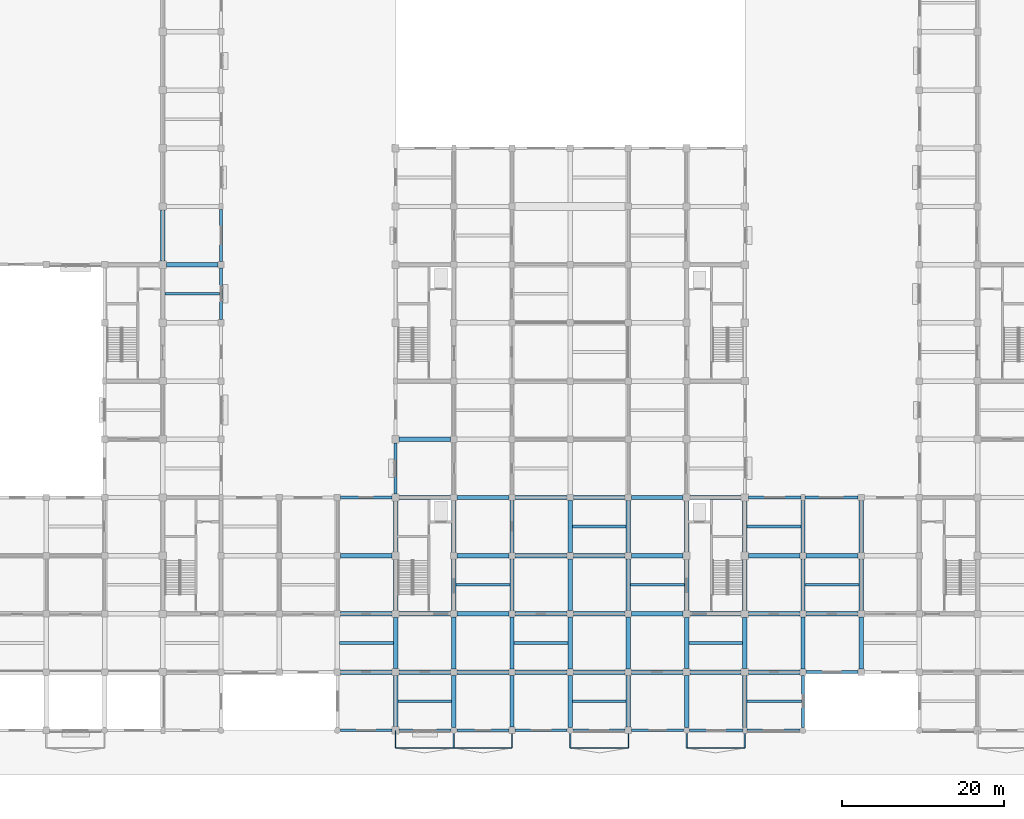
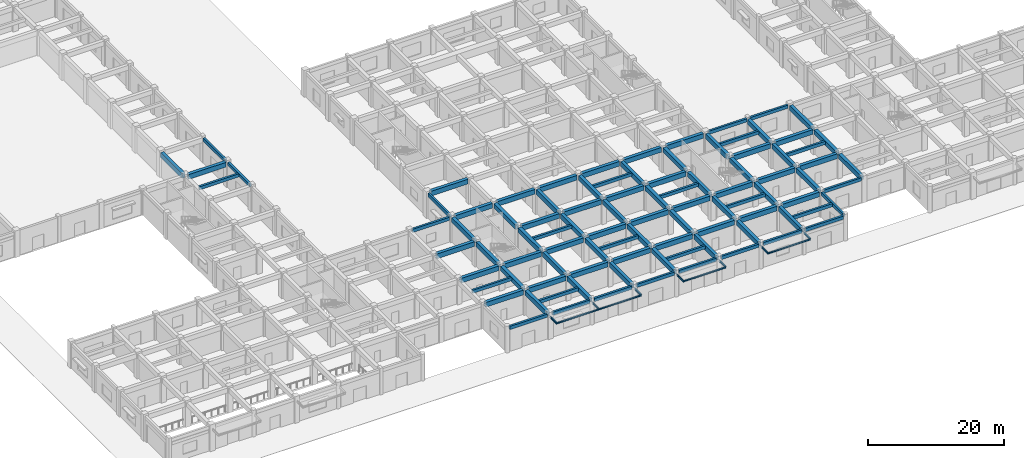
# One storey, part 3 of 37: 106 beams.
"""IFC4 building model written with IfcOpenShell, lengths in metres."""

from ifc_helpers import new_model, si_unit, direction, frame, origin, origin_2d, place, context, subcontext, project, spatial, rectangle, i_section, extrude, material, material_profile, profile_set, type_object, element, save


model = new_model("IFC4")

# Units and contexts
model_context = context("Model", 3, precision=1e-05, world=origin(), true_north=direction((0.0, 1.0)))
body_context = subcontext(model_context, "Body", "Model", "MODEL_VIEW")
ifc_project = project(units=[si_unit("LENGTHUNIT", "METRE"), si_unit("AREAUNIT", "SQUARE_METRE"), si_unit("VOLUMEUNIT", "CUBIC_METRE"), si_unit("PLANEANGLEUNIT", "RADIAN"), si_unit("MASSUNIT", "GRAM", prefix="KILO")], contexts=[model_context])

# Site, building, storey
site_placement = place(None, origin())
site = spatial("IfcSite", under=ifc_project, at=site_placement, CompositionType="ELEMENT")
building_placement = place(site_placement, origin())
building = spatial("IfcBuilding", under=site, at=building_placement, Name="Cendaluz Park School", CompositionType="ELEMENT")
storey_placement = place(building_placement, origin())
storey = spatial("IfcBuildingStorey", under=building, at=storey_placement, Name="L00", CompositionType="ELEMENT", Elevation=0.0)

# Beams
ifc_material_1 = material(Name="Concrete C40/50", Category="concrete")
ifc_material_profile_1 = material_profile(ifc_material_1, rectangle(XDim=0.550048828125, YDim=0.85009765625, at=origin_2d()), Name="RC 550x850", Category="concrete")
ifc_profile_set_1 = profile_set([ifc_material_profile_1], Name="Concrete C40/50")
beam_type_1 = type_object("IfcBeamType", Name="BM-RC01", PredefinedType="BEAM", material=ifc_profile_set_1)
for number, where, z_axis, x_axis, name in (
    (1, (36.449951171875, 57.60009765625, 4.044921875), (1.0, 0.0, 0.0), (0.0, 1.0, 0.0), "BM-L00-BMRC01-0057"),
    (2, (58.0, 7.199951171875, 4.044921875), (1.0, 0.0, 0.0), (0.0, 1.0, 0.0), "BM-L00-BMRC01-0075"),
    (3, (58.0, 14.39990234375, 4.044921875), (1.0, 0.0, 0.0), (0.0, 1.0, 0.0), "BM-L00-BMRC01-0076"),
    (4, (58.0, 21.60009765625, 4.044921875), (1.0, 0.0, 0.0), (0.0, 1.0, 0.0), "BM-L00-BMRC01-0077"),
    (5, (65.25, 7.199951171875, 4.044921875), (1.0, 0.0, 0.0), (0.0, 1.0, 0.0), "BM-L00-BMRC01-0080"),
    (6, (65.25, 14.39990234375, 4.044921875), (1.0, 0.0, 0.0), (0.0, 1.0, 0.0), "BM-L00-BMRC01-0081"),
    (7, (65.25, 28.800048828125, 4.044921875), (1.0, 0.0, 0.0), (0.0, 1.0, 0.0), "BM-L00-BMRC01-0082"),
    (8, (65.25, 36.0, 4.044921875), (1.0, 0.0, 0.0), (0.0, 1.0, 0.0), "BM-L00-BMRC01-0083"),
):
    element("IfcBeam", number, at=place(storey_placement, frame(where, z_axis=z_axis, x_axis=x_axis)), inside=storey, type_object=beam_type_1, Name=name, PredefinedType="BEAM", context=body_context, shape_type="SweptSolid", body=[
        extrude(rectangle(XDim=0.550048828125, YDim=0.85009765625, at=origin_2d()), origin(), (0.0, 0.0, 1.0), 6.35009765625),
    ])
for number, where, z_axis, x_axis, name in (
    (9, (72.39990234375, 7.199951171875, 4.044921875), (1.0, 0.0, 0.0), (0.0, 1.0, 0.0), "BM-L00-BMRC01-0089"),
    (10, (72.39990234375, 14.39990234375, 4.044921875), (1.0, 0.0, 0.0), (0.0, 1.0, 0.0), "BM-L00-BMRC01-0090"),
    (11, (72.39990234375, 21.60009765625, 4.044921875), (1.0, 0.0, 0.0), (0.0, 1.0, 0.0), "BM-L00-BMRC01-0091"),
    (12, (72.39990234375, 28.800048828125, 4.044921875), (1.0, 0.0, 0.0), (0.0, 1.0, 0.0), "BM-L00-BMRC01-0092"),
):
    element("IfcBeam", number, at=place(storey_placement, frame(where, z_axis=z_axis, x_axis=x_axis)), inside=storey, type_object=beam_type_1, Name=name, PredefinedType="BEAM", context=body_context, shape_type="SweptSolid", body=[
        extrude(rectangle(XDim=0.550048828125, YDim=0.85009765625, at=origin_2d()), origin(), (0.0, 0.0, 1.0), 6.400146484375),
    ])
for number, where, z_axis, x_axis, name in (
    (13, (79.60009765625, 7.199951171875, 4.044921875), (1.0, 0.0, 0.0), (0.0, 1.0, 0.0), "BM-L00-BMRC01-0100"),
    (14, (79.60009765625, 14.39990234375, 4.044921875), (1.0, 0.0, 0.0), (0.0, 1.0, 0.0), "BM-L00-BMRC01-0101"),
    (15, (79.60009765625, 21.60009765625, 4.044921875), (1.0, 0.0, 0.0), (0.0, 1.0, 0.0), "BM-L00-BMRC01-0102"),
    (16, (79.60009765625, 28.800048828125, 4.044921875), (1.0, 0.0, 0.0), (0.0, 1.0, 0.0), "BM-L00-BMRC01-0103"),
    (17, (86.800048828125, 7.199951171875, 4.044921875), (1.0, 0.0, 0.0), (0.0, 1.0, 0.0), "BM-L00-BMRC01-0110"),
    (18, (86.800048828125, 14.39990234375, 4.044921875), (1.0, 0.0, 0.0), (0.0, 1.0, 0.0), "BM-L00-BMRC01-0111"),
    (19, (86.800048828125, 21.60009765625, 4.044921875), (1.0, 0.0, 0.0), (0.0, 1.0, 0.0), "BM-L00-BMRC01-0112"),
    (20, (86.800048828125, 28.800048828125, 4.044921875), (1.0, 0.0, 0.0), (0.0, 1.0, 0.0), "BM-L00-BMRC01-0113"),
):
    element("IfcBeam", number, at=place(storey_placement, frame(where, z_axis=z_axis, x_axis=x_axis)), inside=storey, type_object=beam_type_1, Name=name, PredefinedType="BEAM", context=body_context, shape_type="SweptSolid", body=[
        extrude(rectangle(XDim=0.550048828125, YDim=0.85009765625, at=origin_2d()), origin(), (0.0, 0.0, 1.0), 6.39990234375),
    ])
for number, where, z_axis, x_axis, name in (
    (21, (94.0, 7.199951171875, 4.044921875), (1.0, 0.0, 0.0), (0.0, 1.0, 0.0), "BM-L00-BMRC01-0120"),
    (22, (94.0, 14.39990234375, 4.044921875), (1.0, 0.0, 0.0), (0.0, 1.0, 0.0), "BM-L00-BMRC01-0121"),
    (23, (94.0, 21.60009765625, 4.044921875), (1.0, 0.0, 0.0), (0.0, 1.0, 0.0), "BM-L00-BMRC01-0122"),
    (24, (94.0, 28.800048828125, 4.044921875), (1.0, 0.0, 0.0), (0.0, 1.0, 0.0), "BM-L00-BMRC01-0123"),
):
    element("IfcBeam", number, at=place(storey_placement, frame(where, z_axis=z_axis, x_axis=x_axis)), inside=storey, type_object=beam_type_1, Name=name, PredefinedType="BEAM", context=body_context, shape_type="SweptSolid", body=[
        extrude(rectangle(XDim=0.550048828125, YDim=0.85009765625, at=origin_2d()), origin(), (0.0, 0.0, 1.0), 6.35009765625),
    ])
for number, where, z_axis, x_axis, name in (
    (25, (101.25, 7.199951171875, 4.044921875), (1.0, 0.0, 0.0), (0.0, 1.0, 0.0), "BM-L00-BMRC01-0131"),
    (26, (101.25, 14.39990234375, 4.044921875), (1.0, 0.0, 0.0), (0.0, 1.0, 0.0), "BM-L00-BMRC01-0132"),
    (27, (101.25, 28.800048828125, 4.044921875), (1.0, 0.0, 0.0), (0.0, 1.0, 0.0), "BM-L00-BMRC01-0133"),
):
    element("IfcBeam", number, at=place(storey_placement, frame(where, z_axis=z_axis, x_axis=x_axis)), inside=storey, type_object=beam_type_1, Name=name, PredefinedType="BEAM", context=body_context, shape_type="SweptSolid", body=[
        extrude(rectangle(XDim=0.550048828125, YDim=0.85009765625, at=origin_2d()), origin(), (0.0, 0.0, 1.0), 6.300048828125),
    ])
for number, where, z_axis, x_axis, name in (
    (28, (108.449951171875, 7.199951171875, 4.044921875), (1.0, 0.0, 0.0), (0.0, 1.0, 0.0), "BM-L00-BMRC01-0140"),
    (29, (108.449951171875, 14.39990234375, 4.044921875), (1.0, 0.0, 0.0), (0.0, 1.0, 0.0), "BM-L00-BMRC01-0141"),
    (30, (108.449951171875, 21.60009765625, 4.044921875), (1.0, 0.0, 0.0), (0.0, 1.0, 0.0), "BM-L00-BMRC01-0142"),
):
    element("IfcBeam", number, at=place(storey_placement, frame(where, z_axis=z_axis, x_axis=x_axis)), inside=storey, type_object=beam_type_1, Name=name, PredefinedType="BEAM", context=body_context, shape_type="SweptSolid", body=[
        extrude(rectangle(XDim=0.550048828125, YDim=0.85009765625, at=origin_2d()), origin(), (0.0, 0.0, 1.0), 6.35009765625),
    ])
for number, where, z_axis, x_axis, name in (
    (31, (115.60009765625, 14.39990234375, 4.044921875), (1.0, 0.0, 0.0), (0.0, 1.0, 0.0), "BM-L00-BMRC01-0145"),
    (32, (115.60009765625, 21.60009765625, 4.044921875), (1.0, 0.0, 0.0), (0.0, 1.0, 0.0), "BM-L00-BMRC01-0146"),
):
    element("IfcBeam", number, at=place(storey_placement, frame(where, z_axis=z_axis, x_axis=x_axis)), inside=storey, type_object=beam_type_1, Name=name, PredefinedType="BEAM", context=body_context, shape_type="SweptSolid", body=[
        extrude(rectangle(XDim=0.550048828125, YDim=0.85009765625, at=origin_2d()), origin(), (0.0, 0.0, 1.0), 6.39990234375),
    ])
for number, where, z_axis, x_axis, name in (
    (33, (36.0, 58.050048828125, 4.044921875), (0.0, 1.0, 0.0), (-1.0, 0.0, 0.0), "BM-L00-BMRC01-0271"),
    (34, (64.800048828125, 0.449951171875, 4.044921875), (0.0, 1.0, 0.0), (-1.0, 0.0, 0.0), "BM-L00-BMRC01-0302"),
    (35, (64.800048828125, 7.64990234375, 4.044921875), (0.0, 1.0, 0.0), (-1.0, 0.0, 0.0), "BM-L00-BMRC01-0303"),
):
    element("IfcBeam", number, at=place(storey_placement, frame(where, z_axis=z_axis, x_axis=x_axis)), inside=storey, type_object=beam_type_1, Name=name, PredefinedType="BEAM", context=body_context, shape_type="SweptSolid", body=[
        extrude(rectangle(XDim=0.550048828125, YDim=0.85009765625, at=origin_2d()), origin(), (0.0, 0.0, 1.0), 6.300048828125),
    ])
beam_1_placement = place(storey_placement, frame((64.800048828125, 14.85009765625, 4.044921875), z_axis=(0.0, 1.0, 0.0), x_axis=(-1.0, 0.0, 0.0)))
element("IfcBeam", 36, at=beam_1_placement, inside=storey, type_object=beam_type_1, Name="BM-L00-BMRC01-0304", PredefinedType="BEAM", context=body_context, shape_type="SweptSolid", body=[
    extrude(rectangle(XDim=0.550048828125, YDim=0.85009765625, at=origin_2d()), origin(), (0.0, 0.0, 1.0), 6.2998046875),
])
beam_2_placement = place(storey_placement, frame((64.800048828125, 22.050048828125, 4.044921875), z_axis=(0.0, 1.0, 0.0), x_axis=(-1.0, 0.0, 0.0)))
element("IfcBeam", 37, at=beam_2_placement, inside=storey, type_object=beam_type_1, Name="BM-L00-BMRC01-0305", PredefinedType="BEAM", context=body_context, shape_type="SweptSolid", body=[
    extrude(rectangle(XDim=0.550048828125, YDim=0.85009765625, at=origin_2d()), origin(), (0.0, 0.0, 1.0), 6.300048828125),
])
beam_3_placement = place(storey_placement, frame((72.0, 0.375, 4.044921875), z_axis=(0.0, 1.0, 0.0), x_axis=(-1.0, 0.0, 0.0)))
element("IfcBeam", 38, at=beam_3_placement, inside=storey, type_object=beam_type_1, Name="BM-L00-BMRC01-0312", PredefinedType="BEAM", context=body_context, shape_type="SweptSolid", body=[
    extrude(rectangle(XDim=0.550048828125, YDim=0.85009765625, at=origin_2d()), origin(), (0.0, 0.0, 1.0), 6.425048828125),
])
for number, where, z_axis, x_axis, name in (
    (39, (72.0, 7.60009765625, 4.044921875), (0.0, 1.0, 0.0), (-1.0, 0.0, 0.0), "BM-L00-BMRC01-0313"),
    (40, (72.0, 14.800048828125, 4.044921875), (0.0, 1.0, 0.0), (-1.0, 0.0, 0.0), "BM-L00-BMRC01-0314"),
    (41, (72.0, 22.0, 4.044921875), (0.0, 1.0, 0.0), (-1.0, 0.0, 0.0), "BM-L00-BMRC01-0315"),
):
    element("IfcBeam", number, at=place(storey_placement, frame(where, z_axis=z_axis, x_axis=x_axis)), inside=storey, type_object=beam_type_1, Name=name, PredefinedType="BEAM", context=body_context, shape_type="SweptSolid", body=[
        extrude(rectangle(XDim=0.550048828125, YDim=0.85009765625, at=origin_2d()), origin(), (0.0, 0.0, 1.0), 6.39990234375),
    ])
beam_4_placement = place(storey_placement, frame((79.199951171875, 0.39990234375, 4.044921875), z_axis=(0.0, 1.0, 0.0), x_axis=(-1.0, 0.0, 0.0)))
element("IfcBeam", 42, at=beam_4_placement, inside=storey, type_object=beam_type_1, Name="BM-L00-BMRC01-0322", PredefinedType="BEAM", context=body_context, shape_type="SweptSolid", body=[
    extrude(rectangle(XDim=0.550048828125, YDim=0.85009765625, at=origin_2d()), origin(), (0.0, 0.0, 1.0), 6.400146484375),
])
for number, where, z_axis, x_axis, name in (
    (43, (79.199951171875, 7.60009765625, 4.044921875), (0.0, 1.0, 0.0), (-1.0, 0.0, 0.0), "BM-L00-BMRC01-0323"),
    (44, (79.199951171875, 14.800048828125, 4.044921875), (0.0, 1.0, 0.0), (-1.0, 0.0, 0.0), "BM-L00-BMRC01-0324"),
    (45, (79.199951171875, 22.0, 4.044921875), (0.0, 1.0, 0.0), (-1.0, 0.0, 0.0), "BM-L00-BMRC01-0325"),
):
    element("IfcBeam", number, at=place(storey_placement, frame(where, z_axis=z_axis, x_axis=x_axis)), inside=storey, type_object=beam_type_1, Name=name, PredefinedType="BEAM", context=body_context, shape_type="SweptSolid", body=[
        extrude(rectangle(XDim=0.550048828125, YDim=0.85009765625, at=origin_2d()), origin(), (0.0, 0.0, 1.0), 6.39990234375),
    ])
beam_5_placement = place(storey_placement, frame((86.39990234375, 0.375, 4.044921875), z_axis=(0.0, 1.0, 0.0), x_axis=(-1.0, 0.0, 0.0)))
element("IfcBeam", 46, at=beam_5_placement, inside=storey, type_object=beam_type_1, Name="BM-L00-BMRC01-0332", PredefinedType="BEAM", context=body_context, shape_type="SweptSolid", body=[
    extrude(rectangle(XDim=0.550048828125, YDim=0.85009765625, at=origin_2d()), origin(), (0.0, 0.0, 1.0), 6.425048828125),
])
for number, where, z_axis, x_axis, name in (
    (47, (86.39990234375, 7.60009765625, 4.044921875), (0.0, 1.0, 0.0), (-1.0, 0.0, 0.0), "BM-L00-BMRC01-0333"),
    (48, (86.39990234375, 14.800048828125, 4.044921875), (0.0, 1.0, 0.0), (-1.0, 0.0, 0.0), "BM-L00-BMRC01-0334"),
    (49, (86.39990234375, 22.0, 4.044921875), (0.0, 1.0, 0.0), (-1.0, 0.0, 0.0), "BM-L00-BMRC01-0335"),
):
    element("IfcBeam", number, at=place(storey_placement, frame(where, z_axis=z_axis, x_axis=x_axis)), inside=storey, type_object=beam_type_1, Name=name, PredefinedType="BEAM", context=body_context, shape_type="SweptSolid", body=[
        extrude(rectangle(XDim=0.550048828125, YDim=0.85009765625, at=origin_2d()), origin(), (0.0, 0.0, 1.0), 6.39990234375),
    ])
beam_6_placement = place(storey_placement, frame((93.60009765625, 0.39990234375, 4.044921875), z_axis=(0.0, 1.0, 0.0), x_axis=(-1.0, 0.0, 0.0)))
element("IfcBeam", 50, at=beam_6_placement, inside=storey, type_object=beam_type_1, Name="BM-L00-BMRC01-0340", PredefinedType="BEAM", context=body_context, shape_type="SweptSolid", body=[
    extrude(rectangle(XDim=0.550048828125, YDim=0.85009765625, at=origin_2d()), origin(), (0.0, 0.0, 1.0), 6.400146484375),
])
for number, where, z_axis, x_axis, name in (
    (51, (93.60009765625, 7.60009765625, 4.044921875), (0.0, 1.0, 0.0), (-1.0, 0.0, 0.0), "BM-L00-BMRC01-0341"),
    (52, (93.60009765625, 14.800048828125, 4.044921875), (0.0, 1.0, 0.0), (-1.0, 0.0, 0.0), "BM-L00-BMRC01-0342"),
    (53, (93.60009765625, 22.0, 4.044921875), (0.0, 1.0, 0.0), (-1.0, 0.0, 0.0), "BM-L00-BMRC01-0343"),
):
    element("IfcBeam", number, at=place(storey_placement, frame(where, z_axis=z_axis, x_axis=x_axis)), inside=storey, type_object=beam_type_1, Name=name, PredefinedType="BEAM", context=body_context, shape_type="SweptSolid", body=[
        extrude(rectangle(XDim=0.550048828125, YDim=0.85009765625, at=origin_2d()), origin(), (0.0, 0.0, 1.0), 6.39990234375),
    ])
beam_7_placement = place(storey_placement, frame((100.800048828125, 0.375, 4.044921875), z_axis=(0.0, 1.0, 0.0), x_axis=(-1.0, 0.0, 0.0)))
element("IfcBeam", 54, at=beam_7_placement, inside=storey, type_object=beam_type_1, Name="BM-L00-BMRC01-0350", PredefinedType="BEAM", context=body_context, shape_type="SweptSolid", body=[
    extrude(rectangle(XDim=0.550048828125, YDim=0.85009765625, at=origin_2d()), origin(), (0.0, 0.0, 1.0), 6.375),
])
beam_8_placement = place(storey_placement, frame((100.800048828125, 7.64990234375, 4.044921875), z_axis=(0.0, 1.0, 0.0), x_axis=(-1.0, 0.0, 0.0)))
element("IfcBeam", 55, at=beam_8_placement, inside=storey, type_object=beam_type_1, Name="BM-L00-BMRC01-0351", PredefinedType="BEAM", context=body_context, shape_type="SweptSolid", body=[
    extrude(rectangle(XDim=0.550048828125, YDim=0.85009765625, at=origin_2d()), origin(), (0.0, 0.0, 1.0), 6.300048828125),
])
beam_9_placement = place(storey_placement, frame((100.800048828125, 14.85009765625, 4.044921875), z_axis=(0.0, 1.0, 0.0), x_axis=(-1.0, 0.0, 0.0)))
element("IfcBeam", 56, at=beam_9_placement, inside=storey, type_object=beam_type_1, Name="BM-L00-BMRC01-0352", PredefinedType="BEAM", context=body_context, shape_type="SweptSolid", body=[
    extrude(rectangle(XDim=0.550048828125, YDim=0.85009765625, at=origin_2d()), origin(), (0.0, 0.0, 1.0), 6.2998046875),
])
beam_10_placement = place(storey_placement, frame((100.800048828125, 22.050048828125, 4.044921875), z_axis=(0.0, 1.0, 0.0), x_axis=(-1.0, 0.0, 0.0)))
element("IfcBeam", 57, at=beam_10_placement, inside=storey, type_object=beam_type_1, Name="BM-L00-BMRC01-0353", PredefinedType="BEAM", context=body_context, shape_type="SweptSolid", body=[
    extrude(rectangle(XDim=0.550048828125, YDim=0.85009765625, at=origin_2d()), origin(), (0.0, 0.0, 1.0), 6.300048828125),
])
beam_11_placement = place(storey_placement, frame((108.0, 0.375, 4.044921875), z_axis=(0.0, 1.0, 0.0), x_axis=(-1.0, 0.0, 0.0)))
element("IfcBeam", 58, at=beam_11_placement, inside=storey, type_object=beam_type_1, Name="BM-L00-BMRC01-0360", PredefinedType="BEAM", context=body_context, shape_type="SweptSolid", body=[
    extrude(rectangle(XDim=0.550048828125, YDim=0.85009765625, at=origin_2d()), origin(), (0.0, 0.0, 1.0), 6.375),
])
beam_12_placement = place(storey_placement, frame((108.0, 7.64990234375, 4.044921875), z_axis=(0.0, 1.0, 0.0), x_axis=(-1.0, 0.0, 0.0)))
element("IfcBeam", 59, at=beam_12_placement, inside=storey, type_object=beam_type_1, Name="BM-L00-BMRC01-0361", PredefinedType="BEAM", context=body_context, shape_type="SweptSolid", body=[
    extrude(rectangle(XDim=0.550048828125, YDim=0.85009765625, at=origin_2d()), origin(), (0.0, 0.0, 1.0), 6.300048828125),
])
beam_13_placement = place(storey_placement, frame((108.0, 14.85009765625, 4.044921875), z_axis=(0.0, 1.0, 0.0), x_axis=(-1.0, 0.0, 0.0)))
element("IfcBeam", 60, at=beam_13_placement, inside=storey, type_object=beam_type_1, Name="BM-L00-BMRC01-0362", PredefinedType="BEAM", context=body_context, shape_type="SweptSolid", body=[
    extrude(rectangle(XDim=0.550048828125, YDim=0.85009765625, at=origin_2d()), origin(), (0.0, 0.0, 1.0), 6.2998046875),
])
beam_14_placement = place(storey_placement, frame((108.0, 22.050048828125, 4.044921875), z_axis=(0.0, 1.0, 0.0), x_axis=(-1.0, 0.0, 0.0)))
element("IfcBeam", 61, at=beam_14_placement, inside=storey, type_object=beam_type_1, Name="BM-L00-BMRC01-0363", PredefinedType="BEAM", context=body_context, shape_type="SweptSolid", body=[
    extrude(rectangle(XDim=0.550048828125, YDim=0.85009765625, at=origin_2d()), origin(), (0.0, 0.0, 1.0), 6.300048828125),
])
for number, where, z_axis, x_axis, name in (
    (62, (115.199951171875, 7.60009765625, 4.044921875), (0.0, 1.0, 0.0), (-1.0, 0.0, 0.0), "BM-L00-BMRC01-0371"),
    (63, (115.199951171875, 14.800048828125, 4.044921875), (0.0, 1.0, 0.0), (-1.0, 0.0, 0.0), "BM-L00-BMRC01-0372"),
):
    element("IfcBeam", number, at=place(storey_placement, frame(where, z_axis=z_axis, x_axis=x_axis)), inside=storey, type_object=beam_type_1, Name=name, PredefinedType="BEAM", context=body_context, shape_type="SweptSolid", body=[
        extrude(rectangle(XDim=0.550048828125, YDim=0.85009765625, at=origin_2d()), origin(), (0.0, 0.0, 1.0), 6.39990234375),
    ])
beam_15_placement = place(storey_placement, frame((115.199951171875, 22.0, 4.044921875), z_axis=(0.0, 1.0, 0.0), x_axis=(-1.0, 0.0, 0.0)))
element("IfcBeam", 64, at=beam_15_placement, inside=storey, type_object=beam_type_1, Name="BM-L00-BMRC01-0373", PredefinedType="BEAM", context=body_context, shape_type="SweptSolid", body=[
    extrude(rectangle(XDim=0.550048828125, YDim=0.85009765625, at=origin_2d()), origin(), (0.0, 0.0, 1.0), 6.425048828125),
])
for number, where, z_axis, x_axis, name in (
    (65, (122.39990234375, 7.60009765625, 4.044921875), (0.0, 1.0, 0.0), (-1.0, 0.0, 0.0), "BM-L00-BMRC01-0374"),
    (66, (122.39990234375, 14.800048828125, 4.044921875), (0.0, 1.0, 0.0), (-1.0, 0.0, 0.0), "BM-L00-BMRC01-0375"),
    (67, (122.39990234375, 22.0, 4.044921875), (0.0, 1.0, 0.0), (-1.0, 0.0, 0.0), "BM-L00-BMRC01-0376"),
):
    element("IfcBeam", number, at=place(storey_placement, frame(where, z_axis=z_axis, x_axis=x_axis)), inside=storey, type_object=beam_type_1, Name=name, PredefinedType="BEAM", context=body_context, shape_type="SweptSolid", body=[
        extrude(rectangle(XDim=0.550048828125, YDim=0.85009765625, at=origin_2d()), origin(), (0.0, 0.0, 1.0), 6.39990234375),
    ])
ifc_material_profile_2 = material_profile(ifc_material_1, rectangle(XDim=0.35009765625, YDim=0.580078125, at=origin_2d()), Name="RC 350x580", Category="concrete")
ifc_profile_set_2 = profile_set([ifc_material_profile_2], Name="Concrete C40/50")
beam_type_2 = type_object("IfcBeamType", Name="BM-RC04", PredefinedType="LINTEL", material=ifc_profile_set_2)
beam_16_placement = place(storey_placement, frame((57.97509765625, 0.0, 4.179931640625), z_axis=(1.0, 0.0, 0.0), x_axis=(0.0, 1.0, 0.0)))
element("IfcBeam", 68, at=beam_16_placement, inside=storey, type_object=beam_type_2, Name="BM-L00-BMRC04-0074", PredefinedType="LINTEL", context=body_context, shape_type="SweptSolid", body=[
    extrude(rectangle(XDim=0.35009765625, YDim=0.580078125, at=origin_2d()), origin(), (0.0, 0.0, 1.0), 6.375),
])
beam_17_placement = place(storey_placement, frame((58.0, 28.800048828125, 4.179931640625), z_axis=(1.0, 0.0, 0.0), x_axis=(0.0, 1.0, 0.0)))
element("IfcBeam", 69, at=beam_17_placement, inside=storey, type_object=beam_type_2, Name="BM-L00-BMRC04-0078", PredefinedType="LINTEL", context=body_context, shape_type="SweptSolid", body=[
    extrude(rectangle(XDim=0.35009765625, YDim=0.580078125, at=origin_2d()), origin(), (0.0, 0.0, 1.0), 6.35009765625),
])
beam_18_placement = place(storey_placement, frame((65.25, 0.0, 4.179931640625), z_axis=(1.0, 0.0, 0.0), x_axis=(0.0, 1.0, 0.0)))
element("IfcBeam", 70, at=beam_18_placement, inside=storey, type_object=beam_type_2, Name="BM-L00-BMRC04-0079", PredefinedType="LINTEL", context=body_context, shape_type="SweptSolid", body=[
    extrude(rectangle(XDim=0.35009765625, YDim=0.580078125, at=origin_2d()), origin(), (0.0, 0.0, 1.0), 6.375),
])
beam_19_placement = place(storey_placement, frame((72.375, 0.0, 4.179931640625), z_axis=(1.0, 0.0, 0.0), x_axis=(0.0, 1.0, 0.0)))
element("IfcBeam", 71, at=beam_19_placement, inside=storey, type_object=beam_type_2, Name="BM-L00-BMRC04-0088", PredefinedType="LINTEL", context=body_context, shape_type="SweptSolid", body=[
    extrude(rectangle(XDim=0.35009765625, YDim=0.580078125, at=origin_2d()), origin(), (0.0, 0.0, 1.0), 6.425048828125),
])
beam_20_placement = place(storey_placement, frame((79.60009765625, 0.0, 4.179931640625), z_axis=(1.0, 0.0, 0.0), x_axis=(0.0, 1.0, 0.0)))
element("IfcBeam", 72, at=beam_20_placement, inside=storey, type_object=beam_type_2, Name="BM-L00-BMRC04-0099", PredefinedType="LINTEL", context=body_context, shape_type="SweptSolid", body=[
    extrude(rectangle(XDim=0.35009765625, YDim=0.580078125, at=origin_2d()), origin(), (0.0, 0.0, 1.0), 6.4248046875),
])
for number, where, z_axis, x_axis, name in (
    (73, (86.77490234375, 0.0, 4.179931640625), (1.0, 0.0, 0.0), (0.0, 1.0, 0.0), "BM-L00-BMRC04-0109"),
    (74, (94.0, 0.0, 4.179931640625), (1.0, 0.0, 0.0), (0.0, 1.0, 0.0), "BM-L00-BMRC04-0119"),
):
    element("IfcBeam", number, at=place(storey_placement, frame(where, z_axis=z_axis, x_axis=x_axis)), inside=storey, type_object=beam_type_2, Name=name, PredefinedType="LINTEL", context=body_context, shape_type="SweptSolid", body=[
        extrude(rectangle(XDim=0.35009765625, YDim=0.580078125, at=origin_2d()), origin(), (0.0, 0.0, 1.0), 6.425048828125),
    ])
for number, where, z_axis, x_axis, name in (
    (75, (101.175048828125, 0.0, 4.179931640625), (1.0, 0.0, 0.0), (0.0, 1.0, 0.0), "BM-L00-BMRC04-0130"),
    (76, (108.25, 0.0, 4.179931640625), (1.0, 0.0, 0.0), (0.0, 1.0, 0.0), "BM-L00-BMRC04-0139"),
):
    element("IfcBeam", number, at=place(storey_placement, frame(where, z_axis=z_axis, x_axis=x_axis)), inside=storey, type_object=beam_type_2, Name=name, PredefinedType="LINTEL", context=body_context, shape_type="SweptSolid", body=[
        extrude(rectangle(XDim=0.35009765625, YDim=0.580078125, at=origin_2d()), origin(), (0.0, 0.0, 1.0), 6.574951171875),
    ])
beam_21_placement = place(storey_placement, frame((108.449951171875, 28.800048828125, 4.179931640625), z_axis=(1.0, 0.0, 0.0), x_axis=(0.0, 1.0, 0.0)))
element("IfcBeam", 77, at=beam_21_placement, inside=storey, type_object=beam_type_2, Name="BM-L00-BMRC04-0143", PredefinedType="LINTEL", context=body_context, shape_type="SweptSolid", body=[
    extrude(rectangle(XDim=0.35009765625, YDim=0.580078125, at=origin_2d()), origin(), (0.0, 0.0, 1.0), 6.5),
])
beam_22_placement = place(storey_placement, frame((115.60009765625, 7.199951171875, 4.179931640625), z_axis=(1.0, 0.0, 0.0), x_axis=(0.0, 1.0, 0.0)))
element("IfcBeam", 78, at=beam_22_placement, inside=storey, type_object=beam_type_2, Name="BM-L00-BMRC04-0144", PredefinedType="LINTEL", context=body_context, shape_type="SweptSolid", body=[
    extrude(rectangle(XDim=0.35009765625, YDim=0.580078125, at=origin_2d()), origin(), (0.0, 0.0, 1.0), 6.39990234375),
])
beam_23_placement = place(storey_placement, frame((115.449951171875, 28.800048828125, 4.179931640625), z_axis=(1.0, 0.0, 0.0), x_axis=(0.0, 1.0, 0.0)))
element("IfcBeam", 79, at=beam_23_placement, inside=storey, type_object=beam_type_2, Name="BM-L00-BMRC04-0147", PredefinedType="LINTEL", context=body_context, shape_type="SweptSolid", body=[
    extrude(rectangle(XDim=0.35009765625, YDim=0.580078125, at=origin_2d()), origin(), (0.0, 0.0, 1.0), 6.550048828125),
])
beam_24_placement = place(storey_placement, frame((43.199951171875, 50.800048828125, 4.179931640625), z_axis=(0.0, 1.0, 0.0), x_axis=(-1.0, 0.0, 0.0)))
element("IfcBeam", 80, at=beam_24_placement, inside=storey, type_object=beam_type_2, Name="BM-L00-BMRC04-0286", PredefinedType="LINTEL", context=body_context, shape_type="SweptSolid", body=[
    extrude(rectangle(XDim=0.35009765625, YDim=0.580078125, at=origin_2d()), origin(), (0.0, 0.0, 1.0), 6.39990234375),
])
beam_25_placement = place(storey_placement, frame((43.199951171875, 58.0, 4.179931640625), z_axis=(0.0, 1.0, 0.0), x_axis=(-1.0, 0.0, 0.0)))
element("IfcBeam", 81, at=beam_25_placement, inside=storey, type_object=beam_type_2, Name="BM-L00-BMRC04-0287", PredefinedType="LINTEL", context=body_context, shape_type="SweptSolid", body=[
    extrude(rectangle(XDim=0.35009765625, YDim=0.580078125, at=origin_2d()), origin(), (0.0, 0.0, 1.0), 6.425048828125),
])
beam_26_placement = place(storey_placement, frame((64.800048828125, 29.25, 4.179931640625), z_axis=(0.0, 1.0, 0.0), x_axis=(-1.0, 0.0, 0.0)))
element("IfcBeam", 82, at=beam_26_placement, inside=storey, type_object=beam_type_2, Name="BM-L00-BMRC04-0306", PredefinedType="LINTEL", context=body_context, shape_type="SweptSolid", body=[
    extrude(rectangle(XDim=0.35009765625, YDim=0.580078125, at=origin_2d()), origin(), (0.0, 0.0, 1.0), 6.300048828125),
])
beam_27_placement = place(storey_placement, frame((115.199951171875, 0.375, 4.179931640625), z_axis=(0.0, 1.0, 0.0), x_axis=(-1.0, 0.0, 0.0)))
element("IfcBeam", 83, at=beam_27_placement, inside=storey, type_object=beam_type_2, Name="BM-L00-BMRC04-0370", PredefinedType="LINTEL", context=body_context, shape_type="SweptSolid", body=[
    extrude(rectangle(XDim=0.35009765625, YDim=0.580078125, at=origin_2d()), origin(), (0.0, 0.0, 1.0), 6.425048828125),
])
ifc_material_2 = material(Name="Steel S355", Category="steel")
ifc_material_profile_3 = material_profile(ifc_material_2, i_section(OverallWidth=0.159912109375, OverallDepth=0.330078125, WebThickness=0.008056640625, FlangeThickness=0.011962890625, FilletRadius=0.01806640625, at=origin_2d()), Name="IPE 330", Category="steel")
ifc_profile_set_3 = profile_set([ifc_material_profile_3], Name="Steel S355")
beam_type_3 = type_object("IfcBeamType", Name="BM-ST08", PredefinedType="LINTEL", material=ifc_profile_set_3)
for number, where, z_axis, x_axis, name in (
    (84, (64.800048828125, 0.0, 3.875), (0.0, -1.0, 0.0), (1.0, 0.0, 0.0), "BM-CN-L00-03-1"),
    (85, (72.0, 0.0, 3.875), (0.0, -1.0, 0.0), (1.0, 0.0, 0.0), "BM-CN-L00-03-2"),
    (86, (79.199951171875, 0.0, 3.875), (0.0, -1.0, 0.0), (1.0, 0.0, 0.0), "BM-CN-L00-04-2"),
    (87, (86.39990234375, 0.0, 3.875), (0.0, -1.0, 0.0), (1.0, 0.0, 0.0), "BM-CN-L00-05-1"),
    (88, (93.60009765625, 0.0, 3.875), (0.0, -1.0, 0.0), (1.0, 0.0, 0.0), "BM-CN-L00-05-2"),
    (89, (100.800048828125, 0.0, 3.875), (0.0, -1.0, 0.0), (1.0, 0.0, 0.0), "BM-CN-L00-06-1"),
    (90, (108.0, 0.0, 3.875), (0.0, -1.0, 0.0), (1.0, 0.0, 0.0), "BM-CN-L00-06-2"),
):
    element("IfcBeam", number, at=place(storey_placement, frame(where, z_axis=z_axis, x_axis=x_axis)), inside=storey, type_object=beam_type_3, Name=name, PredefinedType="LINTEL", context=body_context, shape_type="SweptSolid", body=[
        extrude(i_section(OverallWidth=0.159912109375, OverallDepth=0.330078125, WebThickness=0.008056640625, FlangeThickness=0.011962890625, FilletRadius=0.01806640625, at=origin_2d()), origin(), (0.0, 0.0, 1.0), 2.199951171875),
    ])
ifc_material_profile_4 = material_profile(ifc_material_2, i_section(OverallWidth=0.135009765625, OverallDepth=0.27001953125, WebThickness=0.007080078125, FlangeThickness=0.010009765625, FilletRadius=0.014892578125, at=origin_2d()), Name="IPE 270", Category="steel")
ifc_profile_set_4 = profile_set([ifc_material_profile_4], Name="Steel S355")
beam_type_4 = type_object("IfcBeamType", Name="BM-ST09", PredefinedType="SPANDREL", material=ifc_profile_set_4)
for number, where, z_axis, x_axis, name in (
    (91, (64.800048828125, -2.199951171875, 3.905029296875), (1.0, 0.0, 0.0), (0.0, 1.0, 0.0), "BM-CNT-L00-03"),
    (92, (72.0, -2.199951171875, 3.905029296875), (1.0, 0.0, 0.0), (0.0, 1.0, 0.0), "BM-CNT-L00-04"),
):
    element("IfcBeam", number, at=place(storey_placement, frame(where, z_axis=z_axis, x_axis=x_axis)), inside=storey, type_object=beam_type_4, Name=name, PredefinedType="SPANDREL", context=body_context, shape_type="SweptSolid", body=[
        extrude(i_section(OverallWidth=0.135009765625, OverallDepth=0.27001953125, WebThickness=0.007080078125, FlangeThickness=0.010009765625, FilletRadius=0.014892578125, at=origin_2d()), origin(), (0.0, 0.0, 1.0), 7.199951171875),
    ])
beam_28_placement = place(storey_placement, frame((86.39990234375, -2.199951171875, 3.905029296875), z_axis=(1.0, 0.0, 0.0), x_axis=(0.0, 1.0, 0.0)))
element("IfcBeam", 93, at=beam_28_placement, inside=storey, type_object=beam_type_4, Name="BM-CNT-L00-05", PredefinedType="SPANDREL", context=body_context, shape_type="SweptSolid", body=[
    extrude(i_section(OverallWidth=0.135009765625, OverallDepth=0.27001953125, WebThickness=0.007080078125, FlangeThickness=0.010009765625, FilletRadius=0.014892578125, at=origin_2d()), origin(), (0.0, 0.0, 1.0), 7.2001953125),
])
beam_29_placement = place(storey_placement, frame((100.800048828125, -2.199951171875, 3.905029296875), z_axis=(1.0, 0.0, 0.0), x_axis=(0.0, 1.0, 0.0)))
element("IfcBeam", 94, at=beam_29_placement, inside=storey, type_object=beam_type_4, Name="BM-CNT-L00-06", PredefinedType="SPANDREL", context=body_context, shape_type="SweptSolid", body=[
    extrude(i_section(OverallWidth=0.135009765625, OverallDepth=0.27001953125, WebThickness=0.007080078125, FlangeThickness=0.010009765625, FilletRadius=0.014892578125, at=origin_2d()), origin(), (0.0, 0.0, 1.0), 7.199951171875),
])
ifc_material_profile_5 = material_profile(ifc_material_1, rectangle(XDim=0.35009765625, YDim=0.580078125, at=origin_2d()), Name="RC 350x580", Category="concrete")
ifc_profile_set_5 = profile_set([ifc_material_profile_5], Name="Concrete C40/50")
beam_type_5 = type_object("IfcBeamType", Name="JT-RC01", PredefinedType="JOIST", material=ifc_profile_set_5)
beam_30_placement = place(storey_placement, frame((36.27490234375, 54.0, 4.179931640625), z_axis=(1.0, 0.0, 0.0), x_axis=(0.0, 1.0, 0.0)))
element("IfcBeam", 95, at=beam_30_placement, inside=storey, type_object=beam_type_5, Name="BM-L00-JTRC01-0472", PredefinedType="JOIST", context=body_context, shape_type="SweptSolid", body=[
    extrude(rectangle(XDim=0.35009765625, YDim=0.580078125, at=origin_2d()), origin(), (0.0, 0.0, 1.0), 6.75),
])
beam_31_placement = place(storey_placement, frame((57.875, 10.800048828125, 4.179931640625), z_axis=(1.0, 0.0, 0.0), x_axis=(0.0, 1.0, 0.0)))
element("IfcBeam", 96, at=beam_31_placement, inside=storey, type_object=beam_type_5, Name="BM-L00-JTRC01-0477", PredefinedType="JOIST", context=body_context, shape_type="SweptSolid", body=[
    extrude(rectangle(XDim=0.35009765625, YDim=0.580078125, at=origin_2d()), origin(), (0.0, 0.0, 1.0), 6.64990234375),
])
for number, where, z_axis, x_axis, name in (
    (97, (65.074951171875, 3.60009765625, 4.179931640625), (1.0, 0.0, 0.0), (0.0, 1.0, 0.0), "BM-L00-JTRC01-0478"),
    (98, (72.27490234375, 18.0, 4.179931640625), (1.0, 0.0, 0.0), (0.0, 1.0, 0.0), "BM-L00-JTRC01-0480"),
):
    element("IfcBeam", number, at=place(storey_placement, frame(where, z_axis=z_axis, x_axis=x_axis)), inside=storey, type_object=beam_type_5, Name=name, PredefinedType="JOIST", context=body_context, shape_type="SweptSolid", body=[
        extrude(rectangle(XDim=0.35009765625, YDim=0.580078125, at=origin_2d()), origin(), (0.0, 0.0, 1.0), 6.650146484375),
    ])
for number, where, z_axis, x_axis, name in (
    (99, (79.47509765625, 10.800048828125, 4.179931640625), (1.0, 0.0, 0.0), (0.0, 1.0, 0.0), "BM-L00-JTRC01-0483"),
    (100, (86.675048828125, 3.60009765625, 4.179931640625), (1.0, 0.0, 0.0), (0.0, 1.0, 0.0), "BM-L00-JTRC01-0486"),
    (101, (86.675048828125, 25.199951171875, 4.179931640625), (1.0, 0.0, 0.0), (0.0, 1.0, 0.0), "BM-L00-JTRC01-0487"),
    (102, (93.875, 18.0, 4.179931640625), (1.0, 0.0, 0.0), (0.0, 1.0, 0.0), "BM-L00-JTRC01-0490"),
):
    element("IfcBeam", number, at=place(storey_placement, frame(where, z_axis=z_axis, x_axis=x_axis)), inside=storey, type_object=beam_type_5, Name=name, PredefinedType="JOIST", context=body_context, shape_type="SweptSolid", body=[
        extrude(rectangle(XDim=0.35009765625, YDim=0.580078125, at=origin_2d()), origin(), (0.0, 0.0, 1.0), 6.64990234375),
    ])
beam_32_placement = place(storey_placement, frame((101.074951171875, 10.800048828125, 4.179931640625), z_axis=(1.0, 0.0, 0.0), x_axis=(0.0, 1.0, 0.0)))
element("IfcBeam", 103, at=beam_32_placement, inside=storey, type_object=beam_type_5, Name="BM-L00-JTRC01-0493", PredefinedType="JOIST", context=body_context, shape_type="SweptSolid", body=[
    extrude(rectangle(XDim=0.35009765625, YDim=0.580078125, at=origin_2d()), origin(), (0.0, 0.0, 1.0), 6.650146484375),
])
beam_33_placement = place(storey_placement, frame((108.27490234375, 3.60009765625, 4.179931640625), z_axis=(1.0, 0.0, 0.0), x_axis=(0.0, 1.0, 0.0)))
element("IfcBeam", 104, at=beam_33_placement, inside=storey, type_object=beam_type_5, Name="BM-L00-JTRC01-0495", PredefinedType="JOIST", context=body_context, shape_type="SweptSolid", body=[
    extrude(rectangle(XDim=0.35009765625, YDim=0.580078125, at=origin_2d()), origin(), (0.0, 0.0, 1.0), 6.75),
])
beam_34_placement = place(storey_placement, frame((108.27490234375, 25.199951171875, 4.179931640625), z_axis=(1.0, 0.0, 0.0), x_axis=(0.0, 1.0, 0.0)))
element("IfcBeam", 105, at=beam_34_placement, inside=storey, type_object=beam_type_5, Name="BM-L00-JTRC01-0496", PredefinedType="JOIST", context=body_context, shape_type="SweptSolid", body=[
    extrude(rectangle(XDim=0.35009765625, YDim=0.580078125, at=origin_2d()), origin(), (0.0, 0.0, 1.0), 6.650146484375),
])
beam_35_placement = place(storey_placement, frame((115.47509765625, 18.0, 4.179931640625), z_axis=(1.0, 0.0, 0.0), x_axis=(0.0, 1.0, 0.0)))
element("IfcBeam", 106, at=beam_35_placement, inside=storey, type_object=beam_type_5, Name="BM-L00-JTRC01-0497", PredefinedType="JOIST", context=body_context, shape_type="SweptSolid", body=[
    extrude(rectangle(XDim=0.35009765625, YDim=0.580078125, at=origin_2d()), origin(), (0.0, 0.0, 1.0), 6.64990234375),
])

save(model, "model.ifc")
